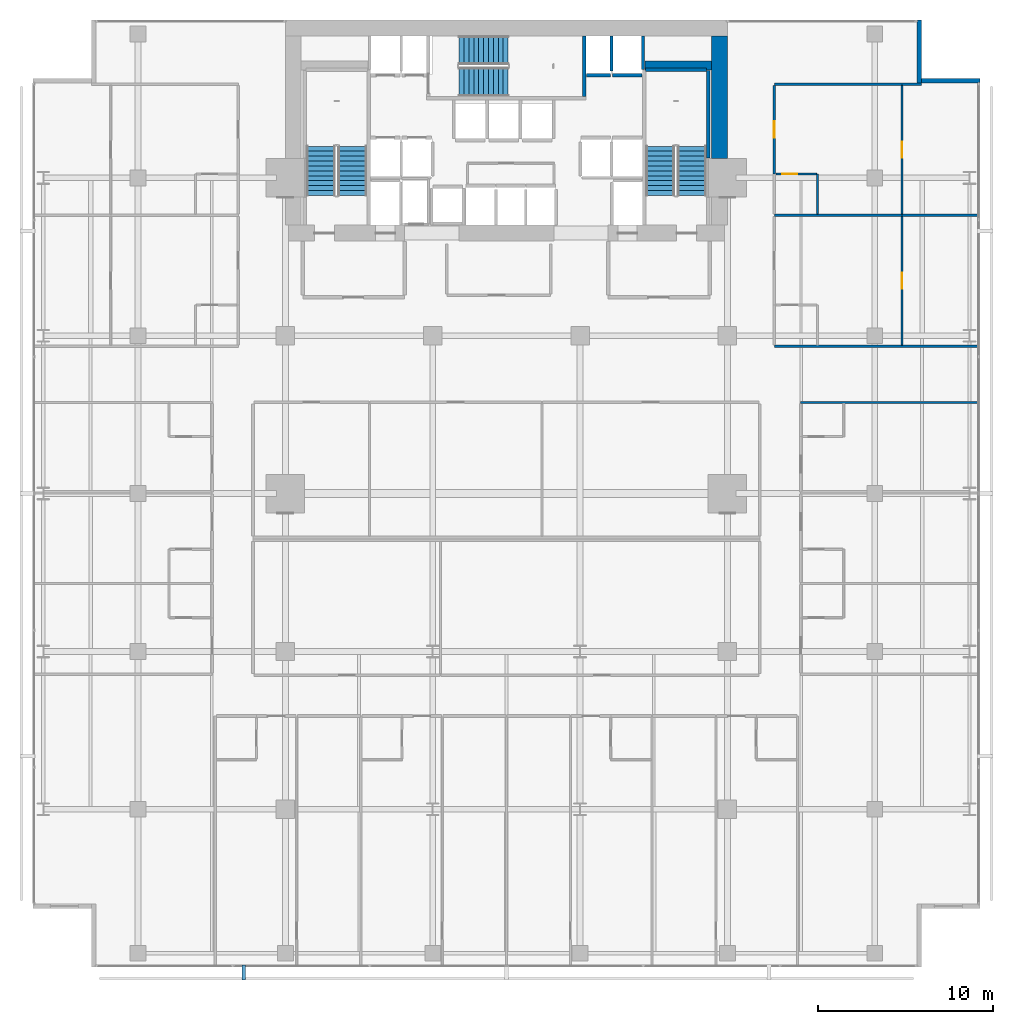
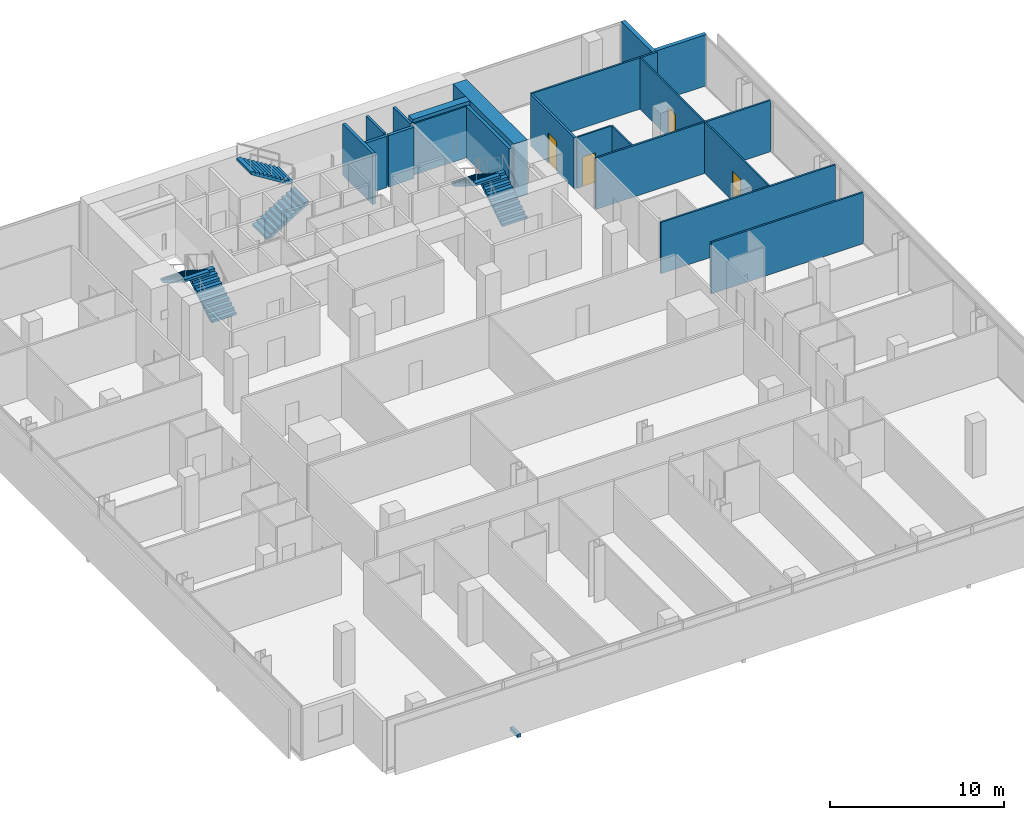
# One storey, part 37 of 40: 20 walls, 6 stair flights, 4 doors, 1 discrete accessory, 4 openings, 3 elements without a shape of their own.
"""IFC4 building model written with IfcOpenShell, lengths in metres."""

import ifcopenshell
import ifcopenshell.guid

model = None  # the IFC model being written
_history = None  # IfcOwnerHistory: only IFC2X3 demands one
_inside = {}  # id of a spatial element -> (the spatial element, [elements in it])
_under = {}  # id of a project, library or spatial element -> (it, [spatial elements below it])
_declared = {}  # id of a project -> (the project, [libraries it declares])
_typed = {}  # id of a type object -> (the type object, [elements of that type])
_made_of = {}  # id of a material, layer set ... -> (it, [elements and type objects made of it])


def new_model(schema):
    """Start an empty IFC model of exactly this schema.

    Asked for "IFC4X3", IfcOpenShell would pick the latest addendum, in which some entities
    have other attributes; the version numbers below select the first issue.
    IFC2X3 requires an IfcOwnerHistory on every rooted entity: one is made here for all.
    """
    global model, _history
    if schema == "IFC4X3":
        model = ifcopenshell.file(schema_version=(4, 3, 0, 0))
    else:
        model = ifcopenshell.file(schema=schema)
    _inside.clear()
    _under.clear()
    _declared.clear()
    _typed.clear()
    _made_of.clear()
    _history = None
    if model.schema == "IFC2X3":
        org = make("IfcOrganization", Name="unknown")
        user = make(
            "IfcPersonAndOrganization",
            ThePerson=make("IfcPerson", FamilyName="unknown"),
            TheOrganization=org,
        )
        app = make(
            "IfcApplication",
            ApplicationDeveloper=org,
            Version="unknown",
            ApplicationFullName="unknown",
            ApplicationIdentifier="unknown",
        )
        _history = make(
            "IfcOwnerHistory",
            OwningUser=user,
            OwningApplication=app,
            ChangeAction="ADDED",
            CreationDate=0,
        )
    return model


def make(cls, **values):
    """One entity of the class cls with the attributes given. An attribute that is None is left unset."""
    return model.create_entity(
        cls, **{name: value for name, value in values.items() if value is not None}
    )


def rooted(cls, **values):
    """An entity with a GlobalId (a new one), such as an element, a storey or a relation."""
    return make(cls, GlobalId=ifcopenshell.guid.new(), OwnerHistory=_history, **values)


def si_unit(unit_type, name, prefix=None):
    """IfcSIUnit, for example si_unit("LENGTHUNIT", "METRE", prefix="MILLI")."""
    return make("IfcSIUnit", UnitType=unit_type, Prefix=prefix, Name=name)


def assignment(units):
    """IfcUnitAssignment: the units of a project."""
    return None if units is None else make("IfcUnitAssignment", Units=units)


def point(xyz):
    """IfcCartesianPoint."""
    return None if xyz is None else make("IfcCartesianPoint", Coordinates=xyz)


def direction(xyz):
    """IfcDirection."""
    return None if xyz is None else make("IfcDirection", DirectionRatios=xyz)


def frame(location, z_axis=None, x_axis=None):
    """IfcAxis2Placement3D, a coordinate frame: its origin and axes. An axis left out is left unset."""
    return make(
        "IfcAxis2Placement3D",
        Location=point(location),
        Axis=direction(z_axis),
        RefDirection=direction(x_axis),
    )


def frame_2d(location, x_axis=None):
    """IfcAxis2Placement2D, a coordinate frame in the plane: its origin and x axis."""
    return make(
        "IfcAxis2Placement2D", Location=point(location), RefDirection=direction(x_axis)
    )


def origin():
    """The frame at (0, 0, 0) with its axes left unset."""
    return frame((0.0, 0.0, 0.0))


def origin_2d():
    """The frame at (0, 0) in the plane with its x axis left unset."""
    return frame_2d((0.0, 0.0))


def place(relative_to, where):
    """IfcLocalPlacement: puts the frame where relative to a parent placement (None: the world)."""
    return make(
        "IfcLocalPlacement", PlacementRelTo=relative_to, RelativePlacement=where
    )


def context(
    kind, dimensions, precision=None, world=None, true_north=None, identifier=None
):
    """IfcGeometricRepresentationContext, for example the 3D "Model" context."""
    return make(
        "IfcGeometricRepresentationContext",
        ContextIdentifier=identifier,
        ContextType=kind,
        CoordinateSpaceDimension=dimensions,
        Precision=precision,
        WorldCoordinateSystem=world,
        TrueNorth=true_north,
    )


def subcontext(parent, identifier, kind, view, scale=None):
    """IfcGeometricRepresentationSubContext, for example "Body" below "Model"."""
    return make(
        "IfcGeometricRepresentationSubContext",
        ContextIdentifier=identifier,
        ContextType=kind,
        ParentContext=parent,
        TargetScale=scale,
        TargetView=view,
    )


def project(units=None, contexts=None):
    """IfcProject with its units and contexts."""
    return rooted(
        "IfcProject",
        Name="project",
        RepresentationContexts=contexts,
        UnitsInContext=assignment(units),
    )


def spatial(cls, under=None, at=None, **own):
    """A site, building, storey or space (cls), placed at a placement, below another one or the project."""
    s = rooted(cls, ObjectPlacement=at, **own)
    if under is not None:
        _under.setdefault(under.id(), (under, []))[1].append(s)
    return s


def polyline(points):
    """IfcPolyline through the points."""
    return make("IfcPolyline", Points=[point(p) for p in points])


def profile(cls, at=None, kind="AREA", **sizes):
    """A parametric profile (cls). Its sizes go by their IFC names, for example OverallWidth=200.0."""
    return make(cls, ProfileType=kind, Position=at, **sizes)


def rectangle(**sizes):
    """IfcRectangleProfileDef."""
    return profile("IfcRectangleProfileDef", **sizes)


def outline(outer, holes=None, kind="AREA"):
    """IfcArbitraryClosedProfileDef: a profile drawn as a closed curve; with holes, ...WithVoids."""
    if holes is None:
        return make("IfcArbitraryClosedProfileDef", ProfileType=kind, OuterCurve=outer)
    return make(
        "IfcArbitraryProfileDefWithVoids",
        ProfileType=kind,
        OuterCurve=outer,
        InnerCurves=holes,
    )


def extrude(swept, where, along, depth):
    """IfcExtrudedAreaSolid: the profile swept, set in the frame where, extruded along a direction by depth."""
    return make(
        "IfcExtrudedAreaSolid",
        SweptArea=swept,
        Position=where,
        ExtrudedDirection=direction(along),
        Depth=depth,
    )


def shape(context_of_items, identifier, shape_type, items):
    """IfcShapeRepresentation: the items that make up one representation, for example the "Body"."""
    return make(
        "IfcShapeRepresentation",
        ContextOfItems=context_of_items,
        RepresentationIdentifier=identifier,
        RepresentationType=shape_type,
        Items=items,
    )


def material(Name=None, Category=None):
    """IfcMaterial."""
    return make("IfcMaterial", Name=Name, Category=Category)


def layer(
    of_material, thickness, ventilated=None, Name=None, Category=None, Priority=None
):
    """IfcMaterialLayer: one layer of a wall or slab, of a material (None: an air gap)."""
    return make(
        "IfcMaterialLayer",
        Material=of_material,
        LayerThickness=thickness,
        IsVentilated=ventilated,
        Name=Name,
        Category=Category,
        Priority=Priority,
    )


def layer_set(layers, Name=None):
    """IfcMaterialLayerSet."""
    return make("IfcMaterialLayerSet", MaterialLayers=layers, LayerSetName=Name)


def made_of(thing, what):
    """Note that an element or type object is made of a material, layer set ...; save() writes the relation."""
    if what is not None:
        _made_of.setdefault(what.id(), (what, []))[1].append(thing)
    return thing


def type_object(cls, material=None, **own):
    """A type object (cls), such as IfcWallType, which elements share."""
    return made_of(rooted(cls, **own), material)


def element(
    cls,
    number,
    at=None,
    inside=None,
    cuts=None,
    type_object=None,
    material=None,
    context=None,
    identifier="Body",
    shape_type=None,
    held_by="IfcProductDefinitionShape",
    body=None,
    shapes=None,
    **own,
):
    """One element of the class cls, such as IfcWall. Its Tag is "e" and its number.

    at: its placement. inside: the storey or other place that contains it. cuts: it is an
    opening in that element (IfcRelVoidsElement). A single representation is given by context,
    identifier, shape_type and body (its items); several are given by shapes. held_by: the class
    of the entity that holds the representations. save() writes the other relations.
    """
    e = rooted(cls, Tag="e%d" % number, ObjectPlacement=at, **own)
    if body is not None:
        shapes = [shape(context, identifier, shape_type, body)]
    if shapes is not None:
        e.Representation = make(held_by, Representations=shapes)
    if inside is not None:
        _inside.setdefault(inside.id(), (inside, []))[1].append(e)
    if cuts is not None:
        rooted(
            "IfcRelVoidsElement", RelatingBuildingElement=cuts, RelatedOpeningElement=e
        )
    if type_object is not None:
        _typed.setdefault(type_object.id(), (type_object, []))[1].append(e)
    return made_of(e, material)


def fill(opening, filler):
    """IfcRelFillsElement: the door or window that sits in an opening."""
    return rooted(
        "IfcRelFillsElement",
        RelatingOpeningElement=opening,
        RelatedBuildingElement=filler,
    )


def aggregate(whole, parts):
    """IfcRelAggregates: a whole, such as a stair, and the parts it consists of."""
    return rooted("IfcRelAggregates", RelatingObject=whole, RelatedObjects=parts)


def save(model, path):
    """Write the relations noted so far, then the file.

    IfcRelAggregates (storeys below a building ...), IfcRelContainedInSpatialStructure (elements
    in a storey), IfcRelDefinesByType, IfcRelAssociatesMaterial and IfcRelDeclares: one each for
    every whole, place, type object, material and project.
    """
    for whole, parts in _under.values():
        aggregate(whole, parts)
    for where, things in _inside.values():
        rooted(
            "IfcRelContainedInSpatialStructure",
            RelatedElements=things,
            RelatingStructure=where,
        )
    for kind, things in _typed.values():
        rooted("IfcRelDefinesByType", RelatedObjects=things, RelatingType=kind)
    for what, things in _made_of.values():
        rooted("IfcRelAssociatesMaterial", RelatedObjects=things, RelatingMaterial=what)
    for by, libraries in _declared.values():
        rooted("IfcRelDeclares", RelatingContext=by, RelatedDefinitions=libraries)
    model.write(path)


model = new_model("IFC4")

# Units and contexts
model_context = context("Model", 3, precision=1e-05, world=origin(), true_north=direction((0.0, 1.0)))
body_context = subcontext(model_context, "Body", "Model", "MODEL_VIEW")
ifc_project = project(units=[si_unit("LENGTHUNIT", "METRE"), si_unit("AREAUNIT", "SQUARE_METRE"), si_unit("VOLUMEUNIT", "CUBIC_METRE"), si_unit("PLANEANGLEUNIT", "RADIAN"), si_unit("MASSUNIT", "GRAM", prefix="KILO")], contexts=[model_context])

# Site, building, storey
site_placement = place(None, origin())
site = spatial("IfcSite", under=ifc_project, at=site_placement, CompositionType="ELEMENT")
building_placement = place(site_placement, origin())
building = spatial("IfcBuilding", under=site, at=building_placement, Name="Maruvema Waterfront Hotel and Observation Tower", CompositionType="ELEMENT")
storey_placement = place(building_placement, frame((0.0, 0.0, 42.35009765625)))
storey = spatial("IfcBuildingStorey", under=building, at=storey_placement, Name="L09", CompositionType="ELEMENT", Elevation=42.35009765625)

# Wall, opening, door
ifc_material_1 = material(Name="Twin-stud acoustic gypsum drywall", Category="gypsum")
ifc_layer_1 = layer(ifc_material_1, 0.14990234375, Name="Acoustic Corridor and Suite Demising Wall 150 mm")
ifc_layer_set_1 = layer_set([ifc_layer_1], Name="Twin-stud acoustic gypsum drywall")
wall_type_1 = type_object("IfcWallType", Name="Acoustic Corridor and Suite Demising Wall 150 mm", PredefinedType="PARTITIONING", material=ifc_layer_set_1)
wall_1_placement = place(storey_placement, frame((53.080078125, 45.21875, 0.0), z_axis=(0.0, 0.0, 1.0), x_axis=(0.0, 1.0, 0.0)))
wall_1 = element("IfcWall", 1, at=wall_1_placement, inside=storey, type_object=wall_type_1, Name="L09 Room L09-NE2 Corridor Wall 113", PredefinedType="PARTITIONING", context=body_context, shape_type="SweptSolid", body=[
    extrude(rectangle(XDim=5.058837890625, YDim=0.14990234375, at=frame_2d((2.529296875, 0.0))), origin(), (0.0, 0.0, 1.0), 3.60986328125),
])
opening_1_placement = place(wall_1_placement, frame((2.054443359375, 0.0, 0.0)))
opening_1 = element("IfcOpeningElement", 2, at=opening_1_placement, cuts=wall_1, Name="Opening DR-095", PredefinedType="OPENING", context=body_context, shape_type="SweptSolid", body=[
    extrude(rectangle(XDim=0.949951171875, YDim=2.14990234375, at=frame_2d((0.47509765625, 1.074951171875))), frame((0.0, 0.0849609375, 0.0), z_axis=(0.0, -1.0, 0.0), x_axis=(1.0, 0.0, 0.0)), (0.0, 0.0, 1.0), 0.169921875),
])
ifc_material_2 = material(Name="Acoustic solid-core hardwood timber leaf", Category="wood")
door_type_1 = type_object("IfcDoorType", Name="Guestroom Entrance Fire Door 950x2150 mm", OperationType="NOTDEFINED", PredefinedType="DOOR", material=ifc_material_2)
door_1_placement = place(opening_1_placement, frame((0.949951171875, 0.0, 0.0), z_axis=(0.0, 0.0, 1.0), x_axis=(-1.0, 0.0, 0.0)))
door_1 = element("IfcDoor", 3, at=door_1_placement, inside=storey, type_object=door_type_1, Name="L09 Room L09-NE2 Entrance Door", OperationType="SINGLE_SWING_LEFT", OverallHeight=2.14990234375, OverallWidth=0.949951171875, PredefinedType="DOOR", context=body_context, shape_type="SweptSolid", body=[
    extrude(rectangle(XDim=0.949951171875, YDim=2.14990234375, at=frame_2d((0.47509765625, 1.074951171875))), frame((0.0, 0.02490234375, 0.0), z_axis=(0.0, -1.0, 0.0), x_axis=(1.0, 0.0, 0.0)), (0.0, 0.0, 1.0), 0.050048828125),
])
fill(opening_1, door_1)

# Walls
ifc_material_3 = material(Name="Precast concrete C45/55", Category="concrete")
ifc_layer_2 = layer(ifc_material_3, 0.199951171875, Name="Core Shaft and Stairwell Enclosure Wall 200 mm")
ifc_layer_set_2 = layer_set([ifc_layer_2], Name="Precast concrete C45/55")
wall_type_2 = type_object("IfcWallType", Name="Core Shaft and Stairwell Enclosure Wall 200 mm", PredefinedType="SOLIDWALL", material=ifc_layer_set_2)
wall_2_placement = place(storey_placement, frame((42.25, 49.64990234375, 0.0), z_axis=(0.0, 0.0, 1.0), x_axis=(0.0, 1.0, 0.0)))
element("IfcWall", 4, at=wall_2_placement, inside=storey, type_object=wall_type_2, Name="L09 Stairwell ST-02 Shaft Wall", PredefinedType="SOLIDWALL", context=body_context, shape_type="SweptSolid", body=[
    extrude(rectangle(XDim=3.4501953125, YDim=0.199951171875, at=frame_2d((1.72509765625, 0.0))), origin(), (0.0, 0.0, 1.0), 3.60986328125),
])
wall_3_placement = place(storey_placement, frame((49.300048828125, 46.1201171875, 0.0), z_axis=(0.0, 0.0, 1.0), x_axis=(0.0, 1.0, 0.0)))
element("IfcWall", 5, at=wall_3_placement, inside=storey, type_object=wall_type_2, Name="L09 Stairwell ST-03 Shaft Lining Wall", PredefinedType="SOLIDWALL", context=body_context, shape_type="SweptSolid", body=[
    extrude(rectangle(XDim=5.0, YDim=0.199951171875, at=frame_2d((2.5, 0.0))), origin(), (0.0, 0.0, 1.0), 3.60986328125),
])
wall_4_placement = place(storey_placement, frame((45.719970703125, 51.14990234375, 0.0), z_axis=(0.0, 0.0, 1.0), x_axis=(1.0, 0.0, 0.0)))
element("IfcWall", 6, at=wall_4_placement, inside=storey, type_object=wall_type_2, Name="L09 Stairwell ST-03 Shaft Lining Wall", PredefinedType="SOLIDWALL", context=body_context, shape_type="SweptSolid", body=[
    extrude(rectangle(XDim=3.5, YDim=0.199951171875, at=frame_2d((1.75, 0.0))), origin(), (0.0, 0.0, 1.0), 3.60986328125),
])
wall_5_placement = place(storey_placement, frame((42.360107421875, 50.85009765625, 0.0), z_axis=(0.0, 0.0, 1.0), x_axis=(1.0, 0.0, 0.0)))
element("IfcWall", 7, at=wall_5_placement, inside=storey, type_object=wall_type_2, Name="L09 Lift LF-07 Hoistway Front Wall", PredefinedType="SOLIDWALL", context=body_context, shape_type="SweptSolid", body=[
    extrude(rectangle(XDim=1.3798828125, YDim=0.199951171875, at=frame_2d((0.68994140625, 0.0))), origin(), (0.0, 0.0, 1.0), 3.60986328125),
])
wall_6_placement = place(storey_placement, frame((43.860107421875, 50.85009765625, 0.0), z_axis=(0.0, 0.0, 1.0), x_axis=(1.0, 0.0, 0.0)))
element("IfcWall", 8, at=wall_6_placement, inside=storey, type_object=wall_type_2, Name="L09 Lift LF-08 Hoistway Front Wall", PredefinedType="SOLIDWALL", context=body_context, shape_type="SweptSolid", body=[
    extrude(rectangle(XDim=1.679931640625, YDim=0.199951171875, at=frame_2d((0.83984375, 0.0))), origin(), (0.0, 0.0, 1.0), 3.60986328125),
])
ifc_material_4 = material(Name="Concrete C70/85", Category="concrete")
ifc_layer_3 = layer(ifc_material_4, 0.5, Name="Core Shear Wall 500 mm")
ifc_layer_set_3 = layer_set([ifc_layer_3], Name="Concrete C70/85")
wall_type_3 = type_object("IfcWallType", Name="Core Shear Wall 500 mm", PredefinedType="SHEAR", material=ifc_layer_set_3)
wall_7_placement = place(storey_placement, frame((45.699951171875, 51.39990234375, 0.0), z_axis=(0.0, 0.0, 1.0), x_axis=(1.0, 0.0, 0.0)))
element("IfcWall", 9, at=wall_7_placement, inside=storey, type_object=wall_type_3, Name="L09 Internal Core Shear Wall NE 500 mm", PredefinedType="SHEAR", context=body_context, shape_type="SweptSolid", body=[
    extrude(rectangle(XDim=3.800048828125, YDim=0.5, at=frame_2d((1.89990234375, 0.0))), origin(), (0.0, 0.0, 1.0), 3.849853515625),
])
ifc_material_5 = material(Name="Concrete C80/95", Category="concrete")
ifc_layer_4 = layer(ifc_material_5, 0.89990234375, Name="Core Shear Wall 900 mm")
ifc_layer_set_4 = layer_set([ifc_layer_4], Name="Concrete C80/95")
wall_type_4 = type_object("IfcWallType", Name="Core Shear Wall 900 mm", PredefinedType="SHEAR", material=ifc_layer_set_4)
wall_8_placement = place(storey_placement, frame((49.949951171875, 46.10009765625, 0.0), z_axis=(0.0, 0.0, 1.0), x_axis=(0.0, 1.0, 0.0)))
element("IfcWall", 10, at=wall_8_placement, inside=storey, type_object=wall_type_4, Name="L09 East-North Core Shear Wall", PredefinedType="SHEAR", context=body_context, shape_type="SweptSolid", body=[
    extrude(rectangle(XDim=7.0, YDim=0.89990234375, at=frame_2d((3.5, 0.0))), origin(), (0.0, 0.0, 1.0), 3.849853515625),
])

# Wall, opening, door
ifc_material_6 = material(Name="Moisture-resistant cement-board drywall", Category="gypsum")
ifc_layer_5 = layer(ifc_material_6, 0.10009765625, Name="En-Suite Moisture-Resistant Partition 100 mm")
ifc_layer_set_5 = layer_set([ifc_layer_5], Name="Moisture-resistant cement-board drywall")
wall_type_5 = type_object("IfcWallType", Name="En-Suite Moisture-Resistant Partition 100 mm", PredefinedType="PARTITIONING", material=ifc_layer_set_5)
wall_9_placement = place(storey_placement, frame((60.350341796875, 35.4599609375, 0.0), z_axis=(0.0, 0.0, 1.0), x_axis=(0.0, 1.0, 0.0)))
wall_9 = element("IfcWall", 11, at=wall_9_placement, inside=storey, type_object=wall_type_5, Name="L09 Suite L09-NE1 Split 104", PredefinedType="PARTITIONING", context=body_context, shape_type="SweptSolid", body=[
    extrude(rectangle(XDim=7.3486328125, YDim=0.10009765625, at=frame_2d((3.67431640625, 0.0))), origin(), (0.0, 0.0, 1.0), 3.60986328125),
])
opening_2_placement = place(wall_9_placement, frame((3.224365234375, 0.0, 0.0)))
opening_2 = element("IfcOpeningElement", 12, at=opening_2_placement, cuts=wall_9, Name="Opening DR-090", PredefinedType="OPENING", context=body_context, shape_type="SweptSolid", body=[
    extrude(rectangle(XDim=0.89990234375, YDim=2.10009765625, at=frame_2d((0.449951171875, 1.050048828125))), frame((0.0, 0.06005859375, 0.0), z_axis=(0.0, -1.0, 0.0), x_axis=(1.0, 0.0, 0.0)), (0.0, 0.0, 1.0), 0.1201171875),
])
ifc_material_7 = material(Name="Solid-core lacquered timber leaf", Category="wood")
door_type_2 = type_object("IfcDoorType", Name="Accessible Toilet and Room Door 900x2100 mm", OperationType="NOTDEFINED", PredefinedType="DOOR", material=ifc_material_7)
door_2_placement = place(opening_2_placement, frame((0.89990234375, 0.0, 0.0), z_axis=(0.0, 0.0, 1.0), x_axis=(-1.0, 0.0, 0.0)))
door_2 = element("IfcDoor", 13, at=door_2_placement, inside=storey, type_object=door_type_2, Name="L09 Suite L09-NE1 Bedroom Door", OperationType="SINGLE_SWING_RIGHT", OverallHeight=2.10009765625, OverallWidth=0.89990234375, PredefinedType="DOOR", context=body_context, shape_type="SweptSolid", body=[
    extrude(rectangle(XDim=0.89990234375, YDim=2.10009765625, at=frame_2d((0.449951171875, 1.050048828125))), frame((0.0, 0.02490234375, 0.0), z_axis=(0.0, -1.0, 0.0), x_axis=(1.0, 0.0, 0.0)), (0.0, 0.0, 1.0), 0.050048828125),
])
fill(opening_2, door_2)

# Wall
wall_10_placement = place(storey_placement, frame((55.530029296875, 42.9287109375, 0.0), z_axis=(0.0, 0.0, 1.0), x_axis=(0.0, 1.0, 0.0)))
element("IfcWall", 14, at=wall_10_placement, inside=storey, type_object=wall_type_5, Name="L09 En-Suite L09-NE2 E 114", PredefinedType="PARTITIONING", context=body_context, shape_type="SweptSolid", body=[
    extrude(rectangle(XDim=2.2900390625, YDim=0.10009765625, at=frame_2d((1.14501953125, 0.0))), origin(), (0.0, 0.0, 1.0), 3.60986328125),
])

# Wall, opening, door
wall_11_placement = place(storey_placement, frame((53.179931640625, 45.21875, 0.0), z_axis=(0.0, 0.0, 1.0), x_axis=(1.0, 0.0, 0.0)))
wall_11 = element("IfcWall", 15, at=wall_11_placement, inside=storey, type_object=wall_type_5, Name="L09 En-Suite L09-NE2 N 115", PredefinedType="PARTITIONING", context=body_context, shape_type="SweptSolid", body=[
    extrude(rectangle(XDim=2.300048828125, YDim=0.10009765625, at=frame_2d((1.14990234375, 0.0))), origin(), (0.0, 0.0, 1.0), 3.60986328125),
])
opening_3_placement = place(wall_11_placement, frame((0.35009765625, 0.0, 0.0)))
opening_3 = element("IfcOpeningElement", 16, at=opening_3_placement, cuts=wall_11, Name="Opening DR-085", PredefinedType="OPENING", context=body_context, shape_type="SweptSolid", body=[
    extrude(rectangle(XDim=0.85009765625, YDim=2.10009765625, at=frame_2d((0.425048828125, 1.050048828125))), frame((0.0, 0.06005859375, 0.0), z_axis=(0.0, -1.0, 0.0), x_axis=(1.0, 0.0, 0.0)), (0.0, 0.0, 1.0), 0.1201171875),
])
ifc_material_8 = material(Name="Moisture-resistant solid timber leaf", Category="wood")
door_type_3 = type_object("IfcDoorType", Name="En-Suite Bathroom Door 850x2100 mm", OperationType="NOTDEFINED", PredefinedType="DOOR", material=ifc_material_8)
door_3_placement = place(opening_3_placement, origin())
door_3 = element("IfcDoor", 17, at=door_3_placement, inside=storey, type_object=door_type_3, Name="L09 En-Suite L09-NE2 Door", OperationType="SINGLE_SWING_RIGHT", OverallHeight=2.10009765625, OverallWidth=0.85009765625, PredefinedType="DOOR", context=body_context, shape_type="SweptSolid", body=[
    extrude(rectangle(XDim=0.85009765625, YDim=2.10009765625, at=frame_2d((0.425048828125, 1.050048828125))), frame((0.0, 0.02490234375, 0.0), z_axis=(0.0, -1.0, 0.0), x_axis=(1.0, 0.0, 0.0)), (0.0, 0.0, 1.0), 0.050048828125),
])
fill(opening_3, door_3)

wall_12_placement = place(storey_placement, frame((60.350341796875, 42.9287109375, 0.0), z_axis=(0.0, 0.0, 1.0), x_axis=(0.0, 1.0, 0.0)))
wall_12 = element("IfcWall", 18, at=wall_12_placement, inside=storey, type_object=wall_type_5, Name="L09 Suite L09-NE2 Split 116", PredefinedType="PARTITIONING", context=body_context, shape_type="SweptSolid", body=[
    extrude(rectangle(XDim=7.348876953125, YDim=0.10009765625, at=frame_2d((3.67431640625, 0.0))), origin(), (0.0, 0.0, 1.0), 3.60986328125),
])
opening_4_placement = place(wall_12_placement, frame((3.224365234375, 0.0, 0.0)))
opening_4 = element("IfcOpeningElement", 19, at=opening_4_placement, cuts=wall_12, Name="Opening DR-090", PredefinedType="OPENING", context=body_context, shape_type="SweptSolid", body=[
    extrude(rectangle(XDim=0.89990234375, YDim=2.10009765625, at=frame_2d((0.449951171875, 1.050048828125))), frame((0.0, 0.06005859375, 0.0), z_axis=(0.0, -1.0, 0.0), x_axis=(1.0, 0.0, 0.0)), (0.0, 0.0, 1.0), 0.1201171875),
])
door_4_placement = place(opening_4_placement, frame((0.89990234375, 0.0, 0.0), z_axis=(0.0, 0.0, 1.0), x_axis=(-1.0, 0.0, 0.0)))
door_4 = element("IfcDoor", 20, at=door_4_placement, inside=storey, type_object=door_type_2, Name="L09 Suite L09-NE2 Bedroom Door", OperationType="SINGLE_SWING_RIGHT", OverallHeight=2.10009765625, OverallWidth=0.89990234375, PredefinedType="DOOR", context=body_context, shape_type="SweptSolid", body=[
    extrude(rectangle(XDim=0.89990234375, YDim=2.10009765625, at=frame_2d((0.449951171875, 1.050048828125))), frame((0.0, 0.02490234375, 0.0), z_axis=(0.0, -1.0, 0.0), x_axis=(1.0, 0.0, 0.0)), (0.0, 0.0, 1.0), 0.050048828125),
])
fill(opening_4, door_4)

# Walls
ifc_material_9 = material(Name="Precast concrete C45/55 with honed Pernambuco granite facing", Category="masonry")
ifc_layer_6 = layer(ifc_material_9, 0.260009765625, Name="Exterior Granite Clad Spandrel and Pier Wall 260 mm")
ifc_layer_set_6 = layer_set([ifc_layer_6], Name="Precast concrete C45/55 with honed Pernambuco granite facing")
wall_type_6 = type_object("IfcWallType", Name="Exterior Granite Clad Spandrel and Pier Wall 260 mm", PredefinedType="SOLIDWALL", material=ifc_layer_set_6)
for number, where, z_axis, x_axis, name in (
    (21, (61.330078125, 54.0, 0.0), (0.0, 0.0, 1.0), (0.0, -1.0, 0.0), "L09 Corner Notch Granite Pier Wall NE1"),
    (22, (61.199951171875, 50.530029296875, 0.0), (0.0, 0.0, 1.0), (1.0, 0.0, 0.0), "L09 Corner Notch Granite Pier Wall NE2"),
):
    element("IfcWall", number, at=place(storey_placement, frame(where, z_axis=z_axis, x_axis=x_axis)), inside=storey, type_object=wall_type_6, Name=name, PredefinedType="SOLIDWALL", context=body_context, shape_type="SweptSolid", body=[
        extrude(rectangle(XDim=3.60009765625, YDim=0.260009765625, at=frame_2d((1.800048828125, 0.0))), origin(), (0.0, 0.0, 1.0), 3.60986328125),
    ])
ifc_material_10 = material(Name="Acoustic gypsum plasterboard drywall", Category="gypsum")
ifc_layer_7 = layer(ifc_material_10, 0.125, Name="Guestroom Acoustic Demising Wall 125 mm")
ifc_layer_set_7 = layer_set([ifc_layer_7], Name="Acoustic gypsum plasterboard drywall")
wall_type_7 = type_object("IfcWallType", Name="Guestroom Acoustic Demising Wall 125 mm", PredefinedType="PARTITIONING", material=ifc_layer_set_7)
wall_13_placement = place(storey_placement, frame((54.580078125, 32.199951171875, 0.0), z_axis=(0.0, 0.0, 1.0), x_axis=(1.0, 0.0, 0.0)))
element("IfcWall", 23, at=wall_13_placement, inside=storey, type_object=wall_type_7, Name="L09 E Top End 062", PredefinedType="PARTITIONING", context=body_context, shape_type="SweptSolid", body=[
    extrude(rectangle(XDim=10.119873046875, YDim=0.125, at=frame_2d((5.06005859375, 0.0))), origin(), (0.0, 0.0, 1.0), 3.60986328125),
])
wall_14_placement = place(storey_placement, frame((53.080078125, 35.39990234375, 0.0), z_axis=(0.0, 0.0, 1.0), x_axis=(1.0, 0.0, 0.0)))
element("IfcWall", 24, at=wall_14_placement, inside=storey, type_object=wall_type_7, Name="L09 NE Bot End 092", PredefinedType="PARTITIONING", context=body_context, shape_type="SweptSolid", body=[
    extrude(rectangle(XDim=11.619873046875, YDim=0.125, at=frame_2d((5.81005859375, 0.0))), origin(), (0.0, 0.0, 1.0), 3.60986328125),
])
wall_15_placement = place(storey_placement, frame((53.080078125, 50.33740234375, 0.0), z_axis=(0.0, 0.0, 1.0), x_axis=(1.0, 0.0, 0.0)))
element("IfcWall", 25, at=wall_15_placement, inside=storey, type_object=wall_type_7, Name="L09 NE Top End 094", PredefinedType="PARTITIONING", context=body_context, shape_type="SweptSolid", body=[
    extrude(rectangle(XDim=8.3798828125, YDim=0.125, at=frame_2d((4.18994140625, 0.0))), origin(), (0.0, 0.0, 1.0), 3.60986328125),
])
wall_16_placement = place(storey_placement, frame((53.080078125, 42.86865234375, 0.0), z_axis=(0.0, 0.0, 1.0), x_axis=(1.0, 0.0, 0.0)))
element("IfcWall", 26, at=wall_16_placement, inside=storey, type_object=wall_type_7, Name="L09 NE Demising 2 106", PredefinedType="PARTITIONING", context=body_context, shape_type="SweptSolid", body=[
    extrude(rectangle(XDim=11.619873046875, YDim=0.125, at=frame_2d((5.81005859375, 0.0))), origin(), (0.0, 0.0, 1.0), 3.60986328125),
])
ifc_material_11 = material(Name="Precast concrete C45/55", Category="concrete")
ifc_layer_8 = layer(ifc_material_11, 0.159912109375, Name="Lift Hoistway Divider Wall 160 mm")
ifc_layer_set_8 = layer_set([ifc_layer_8], Name="Precast concrete C45/55")
wall_type_8 = type_object("IfcWallType", Name="Lift Hoistway Divider Wall 160 mm", PredefinedType="SOLIDWALL", material=ifc_layer_set_8)
wall_17_placement = place(storey_placement, frame((45.590087890625, 51.179931640625, 0.0), z_axis=(0.0, 0.0, 1.0), x_axis=(0.0, 1.0, 0.0)))
element("IfcWall", 27, at=wall_17_placement, inside=storey, type_object=wall_type_8, Name="L09 Hoistway Divider Wall", PredefinedType="SOLIDWALL", context=body_context, shape_type="SweptSolid", body=[
    extrude(rectangle(XDim=1.920166015625, YDim=0.159912109375, at=frame_2d((0.9599609375, 0.0))), origin(), (0.0, 0.0, 1.0), 3.60986328125),
])
wall_18_placement = place(storey_placement, frame((43.800048828125, 51.10009765625, 0.0), z_axis=(0.0, 0.0, 1.0), x_axis=(0.0, 1.0, 0.0)))
element("IfcWall", 28, at=wall_18_placement, inside=storey, type_object=wall_type_8, Name="L09 Hoistway Divider Wall", PredefinedType="SOLIDWALL", context=body_context, shape_type="SweptSolid", body=[
    extrude(rectangle(XDim=2.0, YDim=0.159912109375, at=frame_2d((1.0, 0.0))), origin(), (0.0, 0.0, 1.0), 3.60986328125),
])

# Stair, stair flights
ifc_material_12 = material(Name="Concrete C50/60", Category="concrete")
stair_type = type_object("IfcStairType", Name="Dogleg Exit Stair 1650 mm (22R x 175.0 mm)", PredefinedType="HALF_TURN_STAIR", material=ifc_material_12)
stair_1_placement = place(storey_placement, origin())
stair_1 = element("IfcStair", 29, at=stair_1_placement, inside=storey, type_object=stair_type, Name="L09 ST-01", PredefinedType="HALF_TURN_STAIR")
ifc_material_13 = material(Name="Concrete C50/60", Category="concrete")
stair_flight_type = type_object("IfcStairFlightType", Name="Reinforced Concrete Stair Flight 1650 mm (11R x 175.0 mm)", PredefinedType="STRAIGHT", material=ifc_material_13)
stair_flight_1_placement = place(storey_placement, frame((29.02490234375, 44.0, 0.0), z_axis=(0.0, 0.0, 1.0), x_axis=(0.0, 1.0, 0.0)))
stair_flight_1 = element("IfcStairFlight", 30, at=stair_flight_1_placement, type_object=stair_flight_type, Name="ST-01 flight 1", NumberOfRisers=11, NumberOfTreads=10, PredefinedType="STRAIGHT", RiserHeight=0.175, TreadLength=0.28, context=body_context, shape_type="SweptSolid", body=[
    extrude(outline(polyline([(0.0, 0.0), (0.0, 0.175048828125), (0.280029296875, 0.175048828125), (0.280029296875, 0.35009765625), (0.56005859375, 0.35009765625), (0.56005859375, 0.52490234375), (0.840087890625, 0.52490234375), (0.840087890625, 0.699951171875), (1.1201171875, 0.699951171875), (1.1201171875, 0.875), (1.39990234375, 0.875), (1.39990234375, 1.050048828125), (1.679931640625, 1.050048828125), (1.679931640625, 1.22509765625), (1.9599609375, 1.22509765625), (1.9599609375, 1.39990234375), (2.239990234375, 1.39990234375), (2.239990234375, 1.574951171875), (2.52001953125, 1.574951171875), (2.52001953125, 1.75), (2.800048828125, 1.75), (2.800048828125, 1.925048828125), (2.800048828125, 1.5732421875), (0.28271484375, 0.0), (0.0, 0.0)])), frame((0.0, 0.824951171875, 0.0), z_axis=(0.0, -1.0, 0.0), x_axis=(1.0, 0.0, 0.0)), (0.0, 0.0, 1.0), 1.64990234375),
])
stair_flight_2_placement = place(storey_placement, frame((27.22509765625, 46.800048828125, 1.9248046875), z_axis=(0.0, 0.0, 1.0), x_axis=(0.0, -1.0, 0.0)))
stair_flight_2 = element("IfcStairFlight", 31, at=stair_flight_2_placement, type_object=stair_flight_type, Name="ST-01 flight 2", NumberOfRisers=11, NumberOfTreads=10, PredefinedType="STRAIGHT", RiserHeight=0.175, TreadLength=0.28, context=body_context, shape_type="SweptSolid", body=[
    extrude(outline(polyline([(0.0, 0.0), (0.0, 0.175048828125), (0.280029296875, 0.175048828125), (0.280029296875, 0.35009765625), (0.56005859375, 0.35009765625), (0.56005859375, 0.52490234375), (0.840087890625, 0.52490234375), (0.840087890625, 0.699951171875), (1.1201171875, 0.699951171875), (1.1201171875, 0.875), (1.39990234375, 0.875), (1.39990234375, 1.050048828125), (1.679931640625, 1.050048828125), (1.679931640625, 1.22509765625), (1.9599609375, 1.22509765625), (1.9599609375, 1.39990234375), (2.239990234375, 1.39990234375), (2.239990234375, 1.574951171875), (2.52001953125, 1.574951171875), (2.52001953125, 1.75), (2.800048828125, 1.75), (2.800048828125, 1.925048828125), (2.800048828125, 1.5732421875), (0.28271484375, 0.0), (0.0, 0.0)])), frame((0.0, 0.824951171875, 0.0), z_axis=(0.0, -1.0, 0.0), x_axis=(1.0, 0.0, 0.0)), (0.0, 0.0, 1.0), 1.64990234375),
])
aggregate(stair_1, [stair_flight_1, stair_flight_2])

stair_2_placement = place(storey_placement, origin())
stair_2 = element("IfcStair", 32, at=stair_2_placement, inside=storey, type_object=stair_type, Name="L09 ST-02", PredefinedType="HALF_TURN_STAIR")
stair_flight_3_placement = place(storey_placement, frame((35.10009765625, 50.47509765625, 0.0), z_axis=(0.0, 0.0, 1.0), x_axis=(1.0, 0.0, 0.0)))
stair_flight_3 = element("IfcStairFlight", 33, at=stair_flight_3_placement, type_object=stair_flight_type, Name="ST-02 flight 1", NumberOfRisers=11, NumberOfTreads=10, PredefinedType="STRAIGHT", RiserHeight=0.175, TreadLength=0.28, context=body_context, shape_type="SweptSolid", body=[
    extrude(outline(polyline([(0.0, 0.0), (0.0, 0.175048828125), (0.280029296875, 0.175048828125), (0.280029296875, 0.35009765625), (0.56005859375, 0.35009765625), (0.56005859375, 0.52490234375), (0.840087890625, 0.52490234375), (0.840087890625, 0.699951171875), (1.1201171875, 0.699951171875), (1.1201171875, 0.875), (1.39990234375, 0.875), (1.39990234375, 1.050048828125), (1.679931640625, 1.050048828125), (1.679931640625, 1.22509765625), (1.9599609375, 1.22509765625), (1.9599609375, 1.39990234375), (2.239990234375, 1.39990234375), (2.239990234375, 1.574951171875), (2.52001953125, 1.574951171875), (2.52001953125, 1.75), (2.800048828125, 1.75), (2.800048828125, 1.925048828125), (2.800048828125, 1.5732421875), (0.28271484375, 0.0), (0.0, 0.0)])), frame((0.0, 0.824951171875, 0.0), z_axis=(0.0, -1.0, 0.0), x_axis=(1.0, 0.0, 0.0)), (0.0, 0.0, 1.0), 1.64990234375),
])
stair_flight_4_placement = place(storey_placement, frame((37.89990234375, 52.27490234375, 1.9248046875), z_axis=(0.0, 0.0, 1.0), x_axis=(-1.0, 0.0, 0.0)))
stair_flight_4 = element("IfcStairFlight", 34, at=stair_flight_4_placement, type_object=stair_flight_type, Name="ST-02 flight 2", NumberOfRisers=11, NumberOfTreads=10, PredefinedType="STRAIGHT", RiserHeight=0.175, TreadLength=0.28, context=body_context, shape_type="SweptSolid", body=[
    extrude(outline(polyline([(0.0, 0.0), (0.0, 0.175048828125), (0.280029296875, 0.175048828125), (0.280029296875, 0.35009765625), (0.56005859375, 0.35009765625), (0.56005859375, 0.52490234375), (0.840087890625, 0.52490234375), (0.840087890625, 0.699951171875), (1.1201171875, 0.699951171875), (1.1201171875, 0.875), (1.39990234375, 0.875), (1.39990234375, 1.050048828125), (1.679931640625, 1.050048828125), (1.679931640625, 1.22509765625), (1.9599609375, 1.22509765625), (1.9599609375, 1.39990234375), (2.239990234375, 1.39990234375), (2.239990234375, 1.574951171875), (2.52001953125, 1.574951171875), (2.52001953125, 1.75), (2.800048828125, 1.75), (2.800048828125, 1.925048828125), (2.800048828125, 1.5732421875), (0.28271484375, 0.0), (0.0, 0.0)])), frame((0.0, 0.824951171875, 0.0), z_axis=(0.0, -1.0, 0.0), x_axis=(1.0, 0.0, 0.0)), (0.0, 0.0, 1.0), 1.64990234375),
])
aggregate(stair_2, [stair_flight_3, stair_flight_4])

stair_3_placement = place(storey_placement, origin())
stair_3 = element("IfcStair", 35, at=stair_3_placement, inside=storey, type_object=stair_type, Name="L09 ST-03", PredefinedType="HALF_TURN_STAIR")
stair_flight_5_placement = place(storey_placement, frame((48.375, 44.0, 0.0), z_axis=(0.0, 0.0, 1.0), x_axis=(0.0, 1.0, 0.0)))
stair_flight_5 = element("IfcStairFlight", 36, at=stair_flight_5_placement, type_object=stair_flight_type, Name="ST-03 flight 1", NumberOfRisers=11, NumberOfTreads=10, PredefinedType="STRAIGHT", RiserHeight=0.175, TreadLength=0.28, context=body_context, shape_type="SweptSolid", body=[
    extrude(outline(polyline([(0.0, 0.0), (0.0, 0.175048828125), (0.280029296875, 0.175048828125), (0.280029296875, 0.35009765625), (0.56005859375, 0.35009765625), (0.56005859375, 0.52490234375), (0.840087890625, 0.52490234375), (0.840087890625, 0.699951171875), (1.1201171875, 0.699951171875), (1.1201171875, 0.875), (1.39990234375, 0.875), (1.39990234375, 1.050048828125), (1.679931640625, 1.050048828125), (1.679931640625, 1.22509765625), (1.9599609375, 1.22509765625), (1.9599609375, 1.39990234375), (2.239990234375, 1.39990234375), (2.239990234375, 1.574951171875), (2.52001953125, 1.574951171875), (2.52001953125, 1.75), (2.800048828125, 1.75), (2.800048828125, 1.925048828125), (2.800048828125, 1.5732421875), (0.28271484375, 0.0), (0.0, 0.0)])), frame((0.0, 0.824951171875, 0.0), z_axis=(0.0, -1.0, 0.0), x_axis=(1.0, 0.0, 0.0)), (0.0, 0.0, 1.0), 1.64990234375),
])
stair_flight_6_placement = place(storey_placement, frame((46.574951171875, 46.800048828125, 1.9248046875), z_axis=(0.0, 0.0, 1.0), x_axis=(0.0, -1.0, 0.0)))
stair_flight_6 = element("IfcStairFlight", 37, at=stair_flight_6_placement, type_object=stair_flight_type, Name="ST-03 flight 2", NumberOfRisers=11, NumberOfTreads=10, PredefinedType="STRAIGHT", RiserHeight=0.175, TreadLength=0.28, context=body_context, shape_type="SweptSolid", body=[
    extrude(outline(polyline([(0.0, 0.0), (0.0, 0.175048828125), (0.280029296875, 0.175048828125), (0.280029296875, 0.35009765625), (0.56005859375, 0.35009765625), (0.56005859375, 0.52490234375), (0.840087890625, 0.52490234375), (0.840087890625, 0.699951171875), (1.1201171875, 0.699951171875), (1.1201171875, 0.875), (1.39990234375, 0.875), (1.39990234375, 1.050048828125), (1.679931640625, 1.050048828125), (1.679931640625, 1.22509765625), (1.9599609375, 1.22509765625), (1.9599609375, 1.39990234375), (2.239990234375, 1.39990234375), (2.239990234375, 1.574951171875), (2.52001953125, 1.574951171875), (2.52001953125, 1.75), (2.800048828125, 1.75), (2.800048828125, 1.925048828125), (2.800048828125, 1.5732421875), (0.28271484375, 0.0), (0.0, 0.0)])), frame((0.0, 0.824951171875, 0.0), z_axis=(0.0, -1.0, 0.0), x_axis=(1.0, 0.0, 0.0)), (0.0, 0.0, 1.0), 1.64990234375),
])
aggregate(stair_3, [stair_flight_5, stair_flight_6])

# Discrete accessory
ifc_material_14 = material(Name="Duplex stainless steel Grade 2205", Category="steel")
discrete_accessory_type = type_object("IfcDiscreteAccessoryType", Name="Double-Skin Cavity Stainless Outrigger Bracket", PredefinedType="BRACKET", material=ifc_material_14)
discrete_accessory_placement = place(storey_placement, frame((22.823974609375, -0.300048828125, -0.14013671875), z_axis=(0.0, 0.0, 1.0), x_axis=(1.0, 0.0, 0.0)))
element("IfcDiscreteAccessory", 38, at=discrete_accessory_placement, inside=storey, type_object=discrete_accessory_type, Name="L09 Outer Skin Support Bracket 1", PredefinedType="BRACKET", context=body_context, shape_type="SweptSolid", body=[
    extrude(rectangle(XDim=0.219970703125, YDim=0.860107421875, at=origin_2d()), origin(), (0.0, 0.0, 1.0), 0.239990234375),
])

save(model, "model.ifc")
